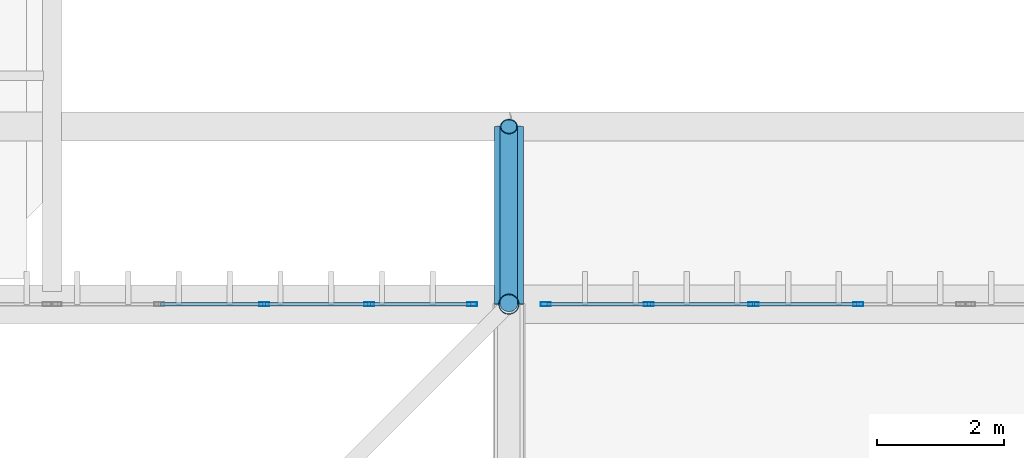
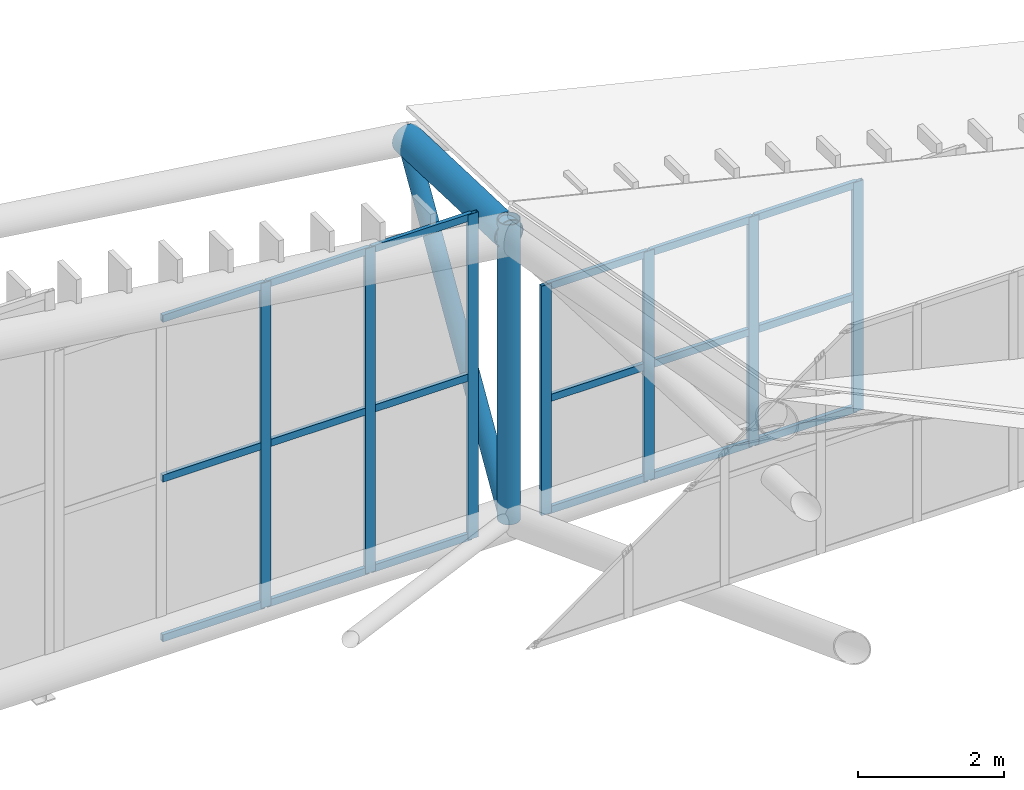
# One storey, part 349 of 397: 27 members, 1 beam, 2 elements without a shape of their own.
"""IFC4 building model written with IfcOpenShell, lengths in metres."""

from ifc_helpers import new_model, si_unit, direction, frame, origin, origin_2d, place, context, subcontext, project, spatial, hollow_rectangle, hollow_circle, extrude, material, material_profile, profile_set, type_object, element, aggregate, save


model = new_model("IFC4")

# Units and contexts
model_context = context("Model", 3, precision=1e-05, world=origin(), true_north=direction((0.0, 1.0)))
body_context = subcontext(model_context, "Body", "Model", "MODEL_VIEW")
ifc_project = project(units=[si_unit("LENGTHUNIT", "METRE"), si_unit("AREAUNIT", "SQUARE_METRE"), si_unit("VOLUMEUNIT", "CUBIC_METRE"), si_unit("PLANEANGLEUNIT", "RADIAN"), si_unit("MASSUNIT", "GRAM", prefix="KILO")], contexts=[model_context])

# Site, building, storey
site_placement = place(None, origin())
site = spatial("IfcSite", under=ifc_project, at=site_placement, CompositionType="ELEMENT")
building_placement = place(site_placement, origin())
building = spatial("IfcBuilding", under=site, at=building_placement, Name="Qandorah Velis Arena", CompositionType="ELEMENT")
storey_placement = place(building_placement, frame((0.0, 0.0, 27.5)))
storey = spatial("IfcBuildingStorey", under=building, at=storey_placement, Name="RF", CompositionType="ELEMENT", Elevation=27.5)

# Curtain wall, members
ifc_material_1 = material(Name="Solar-control low-E double glazing", Category="glass")
curtain_wall_type = type_object("IfcCurtainWallType", Name="ARC-CW-SYS07", PredefinedType="USERDEFINED", material=ifc_material_1)
curtain_wall_1_placement = place(storey_placement, origin())
curtain_wall_1 = element("IfcCurtainWall", 1, at=curtain_wall_1_placement, inside=storey, type_object=curtain_wall_type, Name="Unitised curtain wall CROWN-4-06S2", ObjectType="UNITISED CURTAIN WALL", PredefinedType="USERDEFINED")
ifc_material_2 = material(Name="Champagne-bronze anodized aluminium 6063-T6", Category="aluminium")
ifc_material_profile_1 = material_profile(ifc_material_2, hollow_rectangle(XDim=0.06005859375, YDim=0.159912109375, WallThickness=0.00341796875, at=origin_2d()), Name="ALU MULLION 60x160")
ifc_profile_set_1 = profile_set([ifc_material_profile_1], Name="Champagne-bronze anodized aluminium 6063-T6")
member_type_1 = type_object("IfcMemberType", Name="ARC-CWM-160", PredefinedType="MULLION", material=ifc_profile_set_1)
member_1_placement = place(storey_placement, frame((96.945068359375, 115.199951171875, -0.014892578125), z_axis=(0.0, 0.0, 1.0), x_axis=(0.0, 1.0, 0.0)))
member_1 = element("IfcMember", 2, at=member_1_placement, type_object=member_type_1, Name="CW07 mullion 3", PredefinedType="MULLION", context=body_context, shape_type="SweptSolid", body=[
    extrude(hollow_rectangle(XDim=0.06005859375, YDim=0.159912109375, WallThickness=0.00341796875, at=origin_2d()), origin(), (0.0, 0.0, 1.0), 5.430908203125),
])
member_2_placement = place(storey_placement, frame((98.597412109375, 115.199951171875, -0.014892578125), z_axis=(0.0, 0.0, 1.0), x_axis=(0.0, 1.0, 0.0)))
member_2 = element("IfcMember", 3, at=member_2_placement, type_object=member_type_1, Name="CW07 mullion 4", PredefinedType="MULLION", context=body_context, shape_type="SweptSolid", body=[
    extrude(hollow_rectangle(XDim=0.06005859375, YDim=0.159912109375, WallThickness=0.00341796875, at=origin_2d()), origin(), (0.0, 0.0, 1.0), 5.430908203125),
])
member_3_placement = place(storey_placement, frame((100.219970703125, 115.199951171875, -0.014892578125), z_axis=(0.0, 0.0, 1.0), x_axis=(0.0, 1.0, 0.0)))
member_3 = element("IfcMember", 4, at=member_3_placement, type_object=member_type_1, Name="CW07 mullion 5", PredefinedType="MULLION", context=body_context, shape_type="SweptSolid", body=[
    extrude(hollow_rectangle(XDim=0.06005859375, YDim=0.159912109375, WallThickness=0.00341796875, at=origin_2d()), origin(), (0.0, 0.0, 1.0), 5.430908203125),
])

curtain_wall_2_placement = place(storey_placement, origin())
curtain_wall_2 = element("IfcCurtainWall", 5, at=curtain_wall_2_placement, inside=storey, type_object=curtain_wall_type, Name="Unitised curtain wall CROWN-4-07S1", ObjectType="UNITISED CURTAIN WALL", PredefinedType="USERDEFINED")
member_4_placement = place(storey_placement, frame((101.3798828125, 115.199951171875, -0.014892578125), z_axis=(0.0, 0.0, 1.0), x_axis=(0.0, 1.0, 0.0)))
member_4 = element("IfcMember", 6, at=member_4_placement, type_object=member_type_1, Name="CW07 mullion 1", PredefinedType="MULLION", context=body_context, shape_type="SweptSolid", body=[
    extrude(hollow_rectangle(XDim=0.06005859375, YDim=0.159912109375, WallThickness=0.00341796875, at=origin_2d()), origin(), (0.0, 0.0, 1.0), 3.83447265625),
])
member_5_placement = place(storey_placement, frame((103.00244140625, 115.199951171875, -0.014892578125), z_axis=(0.0, 0.0, 1.0), x_axis=(0.0, 1.0, 0.0)))
member_5 = element("IfcMember", 7, at=member_5_placement, type_object=member_type_1, Name="CW07 mullion 2", PredefinedType="MULLION", context=body_context, shape_type="SweptSolid", body=[
    extrude(hollow_rectangle(XDim=0.06005859375, YDim=0.159912109375, WallThickness=0.00341796875, at=origin_2d()), origin(), (0.0, 0.0, 1.0), 3.83447265625),
])
member_6_placement = place(storey_placement, frame((104.655029296875, 115.199951171875, -0.014892578125), z_axis=(0.0, 0.0, 1.0), x_axis=(0.0, 1.0, 0.0)))
member_6 = element("IfcMember", 8, at=member_6_placement, type_object=member_type_1, Name="CW07 mullion 3", PredefinedType="MULLION", context=body_context, shape_type="SweptSolid", body=[
    extrude(hollow_rectangle(XDim=0.06005859375, YDim=0.159912109375, WallThickness=0.00341796875, at=origin_2d()), origin(), (0.0, 0.0, 1.0), 3.83447265625),
])
member_7_placement = place(storey_placement, frame((106.3076171875, 115.199951171875, -0.014892578125), z_axis=(0.0, 0.0, 1.0), x_axis=(0.0, 1.0, 0.0)))
member_7 = element("IfcMember", 9, at=member_7_placement, type_object=member_type_1, Name="CW07 mullion 4", PredefinedType="MULLION", context=body_context, shape_type="SweptSolid", body=[
    extrude(hollow_rectangle(XDim=0.06005859375, YDim=0.159912109375, WallThickness=0.00341796875, at=origin_2d()), origin(), (0.0, 0.0, 1.0), 3.83447265625),
])

# Member
ifc_material_profile_2 = material_profile(ifc_material_2, hollow_rectangle(XDim=0.06005859375, YDim=0.1201171875, WallThickness=0.0029296875, at=origin_2d()), Name="ALU TRANSOM 60x120")
ifc_profile_set_2 = profile_set([ifc_material_profile_2], Name="Champagne-bronze anodized aluminium 6063-T6")
member_type_2 = type_object("IfcMemberType", Name="ARC-CWT-120", PredefinedType="USERDEFINED", material=ifc_profile_set_2)
member_8_placement = place(storey_placement, frame((95.310546875, 115.199951171875, 0.030029296875), z_axis=(1.0, 0.0, 0.0), x_axis=(0.0, 1.0, 0.0)))
member_8 = element("IfcMember", 10, at=member_8_placement, type_object=member_type_2, Name="CW07 transom 2.1", ObjectType="TRANSOM", PredefinedType="USERDEFINED", context=body_context, shape_type="SweptSolid", body=[
    extrude(hollow_rectangle(XDim=0.06005859375, YDim=0.1201171875, WallThickness=0.0029296875, at=origin_2d()), origin(), (0.0, 0.0, 1.0), 1.616455078125),
])

member_9_placement = place(storey_placement, frame((95.310546875, 115.199951171875, 2.700439453125), z_axis=(1.0, 0.0, 0.0), x_axis=(0.0, 1.0, 0.0)))
member_9 = element("IfcMember", 11, at=member_9_placement, type_object=member_type_2, Name="CW07 transom 2.2", ObjectType="TRANSOM", PredefinedType="USERDEFINED", context=body_context, shape_type="SweptSolid", body=[
    extrude(hollow_rectangle(XDim=0.06005859375, YDim=0.1201171875, WallThickness=0.0029296875, at=origin_2d()), origin(), (0.0, 0.0, 1.0), 1.616455078125),
])

member_10_placement = place(storey_placement, frame((95.310546875, 115.199951171875, 5.370849609375), z_axis=(1.0, 0.0, 0.0), x_axis=(0.0, 1.0, 0.0)))
member_10 = element("IfcMember", 12, at=member_10_placement, type_object=member_type_2, Name="CW07 transom 2.3", ObjectType="TRANSOM", PredefinedType="USERDEFINED", context=body_context, shape_type="SweptSolid", body=[
    extrude(hollow_rectangle(XDim=0.06005859375, YDim=0.1201171875, WallThickness=0.0029296875, at=origin_2d()), origin(), (0.0, 0.0, 1.0), 1.616455078125),
])

member_11_placement = place(storey_placement, frame((96.962890625, 115.199951171875, 0.030029296875), z_axis=(1.0, 0.0, 0.0), x_axis=(0.0, 1.0, 0.0)))
member_11 = element("IfcMember", 13, at=member_11_placement, type_object=member_type_2, Name="CW07 transom 3.1", ObjectType="TRANSOM", PredefinedType="USERDEFINED", context=body_context, shape_type="SweptSolid", body=[
    extrude(hollow_rectangle(XDim=0.06005859375, YDim=0.1201171875, WallThickness=0.0029296875, at=origin_2d()), origin(), (0.0, 0.0, 1.0), 1.61669921875),
])

member_12_placement = place(storey_placement, frame((96.962890625, 115.199951171875, 2.700439453125), z_axis=(1.0, 0.0, 0.0), x_axis=(0.0, 1.0, 0.0)))
member_12 = element("IfcMember", 14, at=member_12_placement, type_object=member_type_2, Name="CW07 transom 3.2", ObjectType="TRANSOM", PredefinedType="USERDEFINED", context=body_context, shape_type="SweptSolid", body=[
    extrude(hollow_rectangle(XDim=0.06005859375, YDim=0.1201171875, WallThickness=0.0029296875, at=origin_2d()), origin(), (0.0, 0.0, 1.0), 1.61669921875),
])

member_13_placement = place(storey_placement, frame((96.962890625, 115.199951171875, 5.370849609375), z_axis=(1.0, 0.0, 0.0), x_axis=(0.0, 1.0, 0.0)))
member_13 = element("IfcMember", 15, at=member_13_placement, type_object=member_type_2, Name="CW07 transom 3.3", ObjectType="TRANSOM", PredefinedType="USERDEFINED", context=body_context, shape_type="SweptSolid", body=[
    extrude(hollow_rectangle(XDim=0.06005859375, YDim=0.1201171875, WallThickness=0.0029296875, at=origin_2d()), origin(), (0.0, 0.0, 1.0), 1.61669921875),
])

member_14_placement = place(storey_placement, frame((98.615478515625, 115.199951171875, 0.030029296875), z_axis=(1.0, 0.0, 0.0), x_axis=(0.0, 1.0, 0.0)))
member_14 = element("IfcMember", 16, at=member_14_placement, type_object=member_type_2, Name="CW07 transom 4.1", ObjectType="TRANSOM", PredefinedType="USERDEFINED", context=body_context, shape_type="SweptSolid", body=[
    extrude(hollow_rectangle(XDim=0.06005859375, YDim=0.1201171875, WallThickness=0.0029296875, at=origin_2d()), origin(), (0.0, 0.0, 1.0), 1.58642578125),
])

member_15_placement = place(storey_placement, frame((98.615478515625, 115.199951171875, 2.700439453125), z_axis=(1.0, 0.0, 0.0), x_axis=(0.0, 1.0, 0.0)))
member_15 = element("IfcMember", 17, at=member_15_placement, type_object=member_type_2, Name="CW07 transom 4.2", ObjectType="TRANSOM", PredefinedType="USERDEFINED", context=body_context, shape_type="SweptSolid", body=[
    extrude(hollow_rectangle(XDim=0.06005859375, YDim=0.1201171875, WallThickness=0.0029296875, at=origin_2d()), origin(), (0.0, 0.0, 1.0), 1.58642578125),
])

member_16_placement = place(storey_placement, frame((98.615478515625, 115.199951171875, 5.370849609375), z_axis=(1.0, 0.0, 0.0), x_axis=(0.0, 1.0, 0.0)))
member_16 = element("IfcMember", 18, at=member_16_placement, type_object=member_type_2, Name="CW07 transom 4.3", ObjectType="TRANSOM", PredefinedType="USERDEFINED", context=body_context, shape_type="SweptSolid", body=[
    extrude(hollow_rectangle(XDim=0.06005859375, YDim=0.1201171875, WallThickness=0.0029296875, at=origin_2d()), origin(), (0.0, 0.0, 1.0), 1.58642578125),
])

aggregate(curtain_wall_1, [member_1, member_2, member_3, member_8, member_9, member_10, member_11, member_12, member_13, member_14, member_15, member_16])

member_17_placement = place(storey_placement, frame((101.39794921875, 115.199951171875, 0.030029296875), z_axis=(1.0, 0.0, 0.0), x_axis=(0.0, 1.0, 0.0)))
member_17 = element("IfcMember", 19, at=member_17_placement, type_object=member_type_2, Name="CW07 transom 1.1", ObjectType="TRANSOM", PredefinedType="USERDEFINED", context=body_context, shape_type="SweptSolid", body=[
    extrude(hollow_rectangle(XDim=0.06005859375, YDim=0.1201171875, WallThickness=0.0029296875, at=origin_2d()), origin(), (0.0, 0.0, 1.0), 1.586669921875),
])

member_18_placement = place(storey_placement, frame((101.39794921875, 115.199951171875, 1.90234375), z_axis=(1.0, 0.0, 0.0), x_axis=(0.0, 1.0, 0.0)))
member_18 = element("IfcMember", 20, at=member_18_placement, type_object=member_type_2, Name="CW07 transom 1.2", ObjectType="TRANSOM", PredefinedType="USERDEFINED", context=body_context, shape_type="SweptSolid", body=[
    extrude(hollow_rectangle(XDim=0.06005859375, YDim=0.1201171875, WallThickness=0.0029296875, at=origin_2d()), origin(), (0.0, 0.0, 1.0), 1.586669921875),
])

member_19_placement = place(storey_placement, frame((101.39794921875, 115.199951171875, 3.774658203125), z_axis=(1.0, 0.0, 0.0), x_axis=(0.0, 1.0, 0.0)))
member_19 = element("IfcMember", 21, at=member_19_placement, type_object=member_type_2, Name="CW07 transom 1.3", ObjectType="TRANSOM", PredefinedType="USERDEFINED", context=body_context, shape_type="SweptSolid", body=[
    extrude(hollow_rectangle(XDim=0.06005859375, YDim=0.1201171875, WallThickness=0.0029296875, at=origin_2d()), origin(), (0.0, 0.0, 1.0), 1.586669921875),
])

member_20_placement = place(storey_placement, frame((103.0205078125, 115.199951171875, 0.030029296875), z_axis=(1.0, 0.0, 0.0), x_axis=(0.0, 1.0, 0.0)))
member_20 = element("IfcMember", 22, at=member_20_placement, type_object=member_type_2, Name="CW07 transom 2.1", ObjectType="TRANSOM", PredefinedType="USERDEFINED", context=body_context, shape_type="SweptSolid", body=[
    extrude(hollow_rectangle(XDim=0.06005859375, YDim=0.1201171875, WallThickness=0.0029296875, at=origin_2d()), origin(), (0.0, 0.0, 1.0), 1.616455078125),
])

member_21_placement = place(storey_placement, frame((103.0205078125, 115.199951171875, 1.90234375), z_axis=(1.0, 0.0, 0.0), x_axis=(0.0, 1.0, 0.0)))
member_21 = element("IfcMember", 23, at=member_21_placement, type_object=member_type_2, Name="CW07 transom 2.2", ObjectType="TRANSOM", PredefinedType="USERDEFINED", context=body_context, shape_type="SweptSolid", body=[
    extrude(hollow_rectangle(XDim=0.06005859375, YDim=0.1201171875, WallThickness=0.0029296875, at=origin_2d()), origin(), (0.0, 0.0, 1.0), 1.616455078125),
])

member_22_placement = place(storey_placement, frame((103.0205078125, 115.199951171875, 3.774658203125), z_axis=(1.0, 0.0, 0.0), x_axis=(0.0, 1.0, 0.0)))
member_22 = element("IfcMember", 24, at=member_22_placement, type_object=member_type_2, Name="CW07 transom 2.3", ObjectType="TRANSOM", PredefinedType="USERDEFINED", context=body_context, shape_type="SweptSolid", body=[
    extrude(hollow_rectangle(XDim=0.06005859375, YDim=0.1201171875, WallThickness=0.0029296875, at=origin_2d()), origin(), (0.0, 0.0, 1.0), 1.616455078125),
])

member_23_placement = place(storey_placement, frame((104.673095703125, 115.199951171875, 0.030029296875), z_axis=(1.0, 0.0, 0.0), x_axis=(0.0, 1.0, 0.0)))
member_23 = element("IfcMember", 25, at=member_23_placement, type_object=member_type_2, Name="CW07 transom 3.1", ObjectType="TRANSOM", PredefinedType="USERDEFINED", context=body_context, shape_type="SweptSolid", body=[
    extrude(hollow_rectangle(XDim=0.06005859375, YDim=0.1201171875, WallThickness=0.0029296875, at=origin_2d()), origin(), (0.0, 0.0, 1.0), 1.616455078125),
])

member_24_placement = place(storey_placement, frame((104.673095703125, 115.199951171875, 1.90234375), z_axis=(1.0, 0.0, 0.0), x_axis=(0.0, 1.0, 0.0)))
member_24 = element("IfcMember", 26, at=member_24_placement, type_object=member_type_2, Name="CW07 transom 3.2", ObjectType="TRANSOM", PredefinedType="USERDEFINED", context=body_context, shape_type="SweptSolid", body=[
    extrude(hollow_rectangle(XDim=0.06005859375, YDim=0.1201171875, WallThickness=0.0029296875, at=origin_2d()), origin(), (0.0, 0.0, 1.0), 1.616455078125),
])

member_25_placement = place(storey_placement, frame((104.673095703125, 115.199951171875, 3.774658203125), z_axis=(1.0, 0.0, 0.0), x_axis=(0.0, 1.0, 0.0)))
member_25 = element("IfcMember", 27, at=member_25_placement, type_object=member_type_2, Name="CW07 transom 3.3", ObjectType="TRANSOM", PredefinedType="USERDEFINED", context=body_context, shape_type="SweptSolid", body=[
    extrude(hollow_rectangle(XDim=0.06005859375, YDim=0.1201171875, WallThickness=0.0029296875, at=origin_2d()), origin(), (0.0, 0.0, 1.0), 1.616455078125),
])

aggregate(curtain_wall_2, [member_4, member_5, member_6, member_7, member_17, member_18, member_19, member_20, member_21, member_22, member_23, member_24, member_25])

# Beam
ifc_material_3 = material(Name="Steel S355", Category="steel")
ifc_material_profile_3 = material_profile(ifc_material_3, hollow_circle(Radius=0.228515625, WallThickness=0.01611328125, at=origin_2d()), Name="CHS 457x16")
ifc_profile_set_3 = profile_set([ifc_material_profile_3], Name="Steel S355")
beam_type = type_object("IfcBeamType", Name="STR-SFC-CHS457X16", PredefinedType="USERDEFINED", material=ifc_profile_set_3)
beam_placement = place(storey_placement, frame((100.800048828125, 115.199951171875, 4.851806640625), z_axis=(0.0, 0.999364739976, -0.035638693753), x_axis=(-1.0, 0.0, 0.0)))
element("IfcBeam", 28, at=beam_placement, inside=storey, type_object=beam_type, Name="Space frame eave outrigger N-6", ObjectType="ROOF TRUSS", PredefinedType="USERDEFINED", context=body_context, shape_type="SweptSolid", body=[
    extrude(hollow_circle(Radius=0.228515625, WallThickness=0.01611328125, at=origin_2d()), origin(), (0.0, 0.0, 1.0), 2.8017578125),
])

# Members
ifc_material_profile_4 = material_profile(ifc_material_3, hollow_circle(Radius=0.136474609375, WallThickness=0.012451171875, at=origin_2d()), Name="CHS 273x12.5")
ifc_profile_set_4 = profile_set([ifc_material_profile_4], Name="Steel S355")
member_type_3 = type_object("IfcMemberType", Name="STR-SFD-CHS273X12", PredefinedType="STRUT", material=ifc_profile_set_4)
member_26_placement = place(storey_placement, frame((100.800048828125, 115.199951171875, 0.10009765625), z_axis=(0.0, 0.51570533473, 0.85676601691), x_axis=(-1.0, 0.0, 0.0)))
element("IfcMember", 29, at=member_26_placement, inside=storey, type_object=member_type_3, Name="Space frame eave raking strut N-6", PredefinedType="STRUT", context=body_context, shape_type="SweptSolid", body=[
    extrude(hollow_circle(Radius=0.136474609375, WallThickness=0.012451171875, at=origin_2d()), origin(), (0.0, 0.0, 1.0), 5.429443359375),
])
ifc_material_profile_5 = material_profile(ifc_material_3, hollow_circle(Radius=0.161865234375, WallThickness=0.012451171875, at=origin_2d()), Name="CHS 323.9x12.5")
ifc_profile_set_5 = profile_set([ifc_material_profile_5], Name="Steel S355")
member_type_4 = type_object("IfcMemberType", Name="STR-SFD-CHS323X12", PredefinedType="CHORD", material=ifc_profile_set_5)
member_27_placement = place(storey_placement, frame((100.800048828125, 115.199951171875, 0.10009765625), z_axis=(0.0, 0.0, 1.0), x_axis=(1.0, 0.0, 0.0)))
element("IfcMember", 30, at=member_27_placement, inside=storey, type_object=member_type_4, Name="Space frame roof vertical post 6.7", PredefinedType="CHORD", context=body_context, shape_type="SweptSolid", body=[
    extrude(hollow_circle(Radius=0.161865234375, WallThickness=0.012451171875, at=origin_2d()), origin(), (0.0, 0.0, 1.0), 5.01171875),
])

save(model, "model.ifc")
